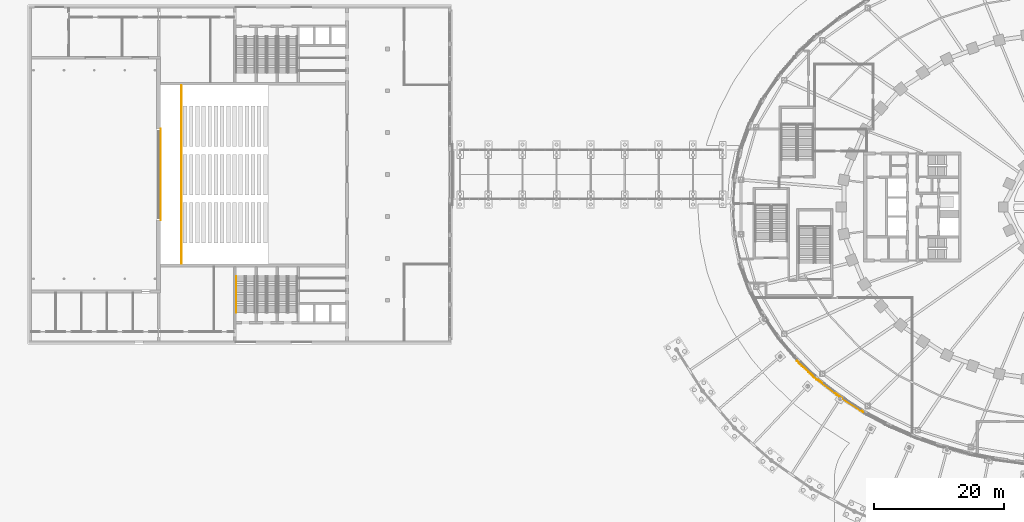
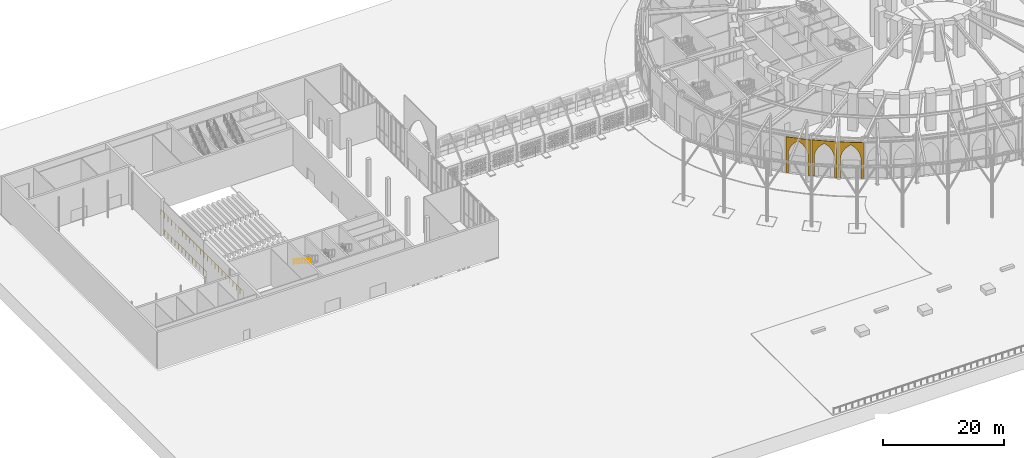
# One storey, part 53 of 79: 3 coverings, 3 railings.
"""IFC4 building model written with IfcOpenShell, lengths in metres."""

import ifcopenshell
import ifcopenshell.guid

model = None  # the IFC model being written
_history = None  # IfcOwnerHistory: only IFC2X3 demands one
_inside = {}  # id of a spatial element -> (the spatial element, [elements in it])
_under = {}  # id of a project, library or spatial element -> (it, [spatial elements below it])
_declared = {}  # id of a project -> (the project, [libraries it declares])
_typed = {}  # id of a type object -> (the type object, [elements of that type])
_made_of = {}  # id of a material, layer set ... -> (it, [elements and type objects made of it])


def new_model(schema):
    """Start an empty IFC model of exactly this schema.

    Asked for "IFC4X3", IfcOpenShell would pick the latest addendum, in which some entities
    have other attributes; the version numbers below select the first issue.
    IFC2X3 requires an IfcOwnerHistory on every rooted entity: one is made here for all.
    """
    global model, _history
    if schema == "IFC4X3":
        model = ifcopenshell.file(schema_version=(4, 3, 0, 0))
    else:
        model = ifcopenshell.file(schema=schema)
    _inside.clear()
    _under.clear()
    _declared.clear()
    _typed.clear()
    _made_of.clear()
    _history = None
    if model.schema == "IFC2X3":
        org = make("IfcOrganization", Name="unknown")
        user = make(
            "IfcPersonAndOrganization",
            ThePerson=make("IfcPerson", FamilyName="unknown"),
            TheOrganization=org,
        )
        app = make(
            "IfcApplication",
            ApplicationDeveloper=org,
            Version="unknown",
            ApplicationFullName="unknown",
            ApplicationIdentifier="unknown",
        )
        _history = make(
            "IfcOwnerHistory",
            OwningUser=user,
            OwningApplication=app,
            ChangeAction="ADDED",
            CreationDate=0,
        )
    return model


def make(cls, **values):
    """One entity of the class cls with the attributes given. An attribute that is None is left unset."""
    return model.create_entity(
        cls, **{name: value for name, value in values.items() if value is not None}
    )


def rooted(cls, **values):
    """An entity with a GlobalId (a new one), such as an element, a storey or a relation."""
    return make(cls, GlobalId=ifcopenshell.guid.new(), OwnerHistory=_history, **values)


def si_unit(unit_type, name, prefix=None):
    """IfcSIUnit, for example si_unit("LENGTHUNIT", "METRE", prefix="MILLI")."""
    return make("IfcSIUnit", UnitType=unit_type, Prefix=prefix, Name=name)


def assignment(units):
    """IfcUnitAssignment: the units of a project."""
    return None if units is None else make("IfcUnitAssignment", Units=units)


def point(xyz):
    """IfcCartesianPoint."""
    return None if xyz is None else make("IfcCartesianPoint", Coordinates=xyz)


def direction(xyz):
    """IfcDirection."""
    return None if xyz is None else make("IfcDirection", DirectionRatios=xyz)


def frame(location, z_axis=None, x_axis=None):
    """IfcAxis2Placement3D, a coordinate frame: its origin and axes. An axis left out is left unset."""
    return make(
        "IfcAxis2Placement3D",
        Location=point(location),
        Axis=direction(z_axis),
        RefDirection=direction(x_axis),
    )


def frame_2d(location, x_axis=None):
    """IfcAxis2Placement2D, a coordinate frame in the plane: its origin and x axis."""
    return make(
        "IfcAxis2Placement2D", Location=point(location), RefDirection=direction(x_axis)
    )


def origin():
    """The frame at (0, 0, 0) with its axes left unset."""
    return frame((0.0, 0.0, 0.0))


def origin_2d():
    """The frame at (0, 0) in the plane with its x axis left unset."""
    return frame_2d((0.0, 0.0))


def place(relative_to, where):
    """IfcLocalPlacement: puts the frame where relative to a parent placement (None: the world)."""
    return make(
        "IfcLocalPlacement", PlacementRelTo=relative_to, RelativePlacement=where
    )


def context(
    kind, dimensions, precision=None, world=None, true_north=None, identifier=None
):
    """IfcGeometricRepresentationContext, for example the 3D "Model" context."""
    return make(
        "IfcGeometricRepresentationContext",
        ContextIdentifier=identifier,
        ContextType=kind,
        CoordinateSpaceDimension=dimensions,
        Precision=precision,
        WorldCoordinateSystem=world,
        TrueNorth=true_north,
    )


def subcontext(parent, identifier, kind, view, scale=None):
    """IfcGeometricRepresentationSubContext, for example "Body" below "Model"."""
    return make(
        "IfcGeometricRepresentationSubContext",
        ContextIdentifier=identifier,
        ContextType=kind,
        ParentContext=parent,
        TargetScale=scale,
        TargetView=view,
    )


def project(units=None, contexts=None):
    """IfcProject with its units and contexts."""
    return rooted(
        "IfcProject",
        Name="project",
        RepresentationContexts=contexts,
        UnitsInContext=assignment(units),
    )


def spatial(cls, under=None, at=None, **own):
    """A site, building, storey or space (cls), placed at a placement, below another one or the project."""
    s = rooted(cls, ObjectPlacement=at, **own)
    if under is not None:
        _under.setdefault(under.id(), (under, []))[1].append(s)
    return s


def polyline(points):
    """IfcPolyline through the points."""
    return make("IfcPolyline", Points=[point(p) for p in points])


def profile(cls, at=None, kind="AREA", **sizes):
    """A parametric profile (cls). Its sizes go by their IFC names, for example OverallWidth=200.0."""
    return make(cls, ProfileType=kind, Position=at, **sizes)


def rectangle(**sizes):
    """IfcRectangleProfileDef."""
    return profile("IfcRectangleProfileDef", **sizes)


def outline(outer, holes=None, kind="AREA"):
    """IfcArbitraryClosedProfileDef: a profile drawn as a closed curve; with holes, ...WithVoids."""
    if holes is None:
        return make("IfcArbitraryClosedProfileDef", ProfileType=kind, OuterCurve=outer)
    return make(
        "IfcArbitraryProfileDefWithVoids",
        ProfileType=kind,
        OuterCurve=outer,
        InnerCurves=holes,
    )


def extrude(swept, where, along, depth):
    """IfcExtrudedAreaSolid: the profile swept, set in the frame where, extruded along a direction by depth."""
    return make(
        "IfcExtrudedAreaSolid",
        SweptArea=swept,
        Position=where,
        ExtrudedDirection=direction(along),
        Depth=depth,
    )


def shape(context_of_items, identifier, shape_type, items):
    """IfcShapeRepresentation: the items that make up one representation, for example the "Body"."""
    return make(
        "IfcShapeRepresentation",
        ContextOfItems=context_of_items,
        RepresentationIdentifier=identifier,
        RepresentationType=shape_type,
        Items=items,
    )


def material(Name=None, Category=None):
    """IfcMaterial."""
    return make("IfcMaterial", Name=Name, Category=Category)


def layer(
    of_material, thickness, ventilated=None, Name=None, Category=None, Priority=None
):
    """IfcMaterialLayer: one layer of a wall or slab, of a material (None: an air gap)."""
    return make(
        "IfcMaterialLayer",
        Material=of_material,
        LayerThickness=thickness,
        IsVentilated=ventilated,
        Name=Name,
        Category=Category,
        Priority=Priority,
    )


def layer_set(layers, Name=None):
    """IfcMaterialLayerSet."""
    return make("IfcMaterialLayerSet", MaterialLayers=layers, LayerSetName=Name)


def made_of(thing, what):
    """Note that an element or type object is made of a material, layer set ...; save() writes the relation."""
    if what is not None:
        _made_of.setdefault(what.id(), (what, []))[1].append(thing)
    return thing


def type_object(cls, material=None, **own):
    """A type object (cls), such as IfcWallType, which elements share."""
    return made_of(rooted(cls, **own), material)


def element(
    cls,
    number,
    at=None,
    inside=None,
    cuts=None,
    type_object=None,
    material=None,
    context=None,
    identifier="Body",
    shape_type=None,
    held_by="IfcProductDefinitionShape",
    body=None,
    shapes=None,
    **own,
):
    """One element of the class cls, such as IfcWall. Its Tag is "e" and its number.

    at: its placement. inside: the storey or other place that contains it. cuts: it is an
    opening in that element (IfcRelVoidsElement). A single representation is given by context,
    identifier, shape_type and body (its items); several are given by shapes. held_by: the class
    of the entity that holds the representations. save() writes the other relations.
    """
    e = rooted(cls, Tag="e%d" % number, ObjectPlacement=at, **own)
    if body is not None:
        shapes = [shape(context, identifier, shape_type, body)]
    if shapes is not None:
        e.Representation = make(held_by, Representations=shapes)
    if inside is not None:
        _inside.setdefault(inside.id(), (inside, []))[1].append(e)
    if cuts is not None:
        rooted(
            "IfcRelVoidsElement", RelatingBuildingElement=cuts, RelatedOpeningElement=e
        )
    if type_object is not None:
        _typed.setdefault(type_object.id(), (type_object, []))[1].append(e)
    return made_of(e, material)


def aggregate(whole, parts):
    """IfcRelAggregates: a whole, such as a stair, and the parts it consists of."""
    return rooted("IfcRelAggregates", RelatingObject=whole, RelatedObjects=parts)


def save(model, path):
    """Write the relations noted so far, then the file.

    IfcRelAggregates (storeys below a building ...), IfcRelContainedInSpatialStructure (elements
    in a storey), IfcRelDefinesByType, IfcRelAssociatesMaterial and IfcRelDeclares: one each for
    every whole, place, type object, material and project.
    """
    for whole, parts in _under.values():
        aggregate(whole, parts)
    for where, things in _inside.values():
        rooted(
            "IfcRelContainedInSpatialStructure",
            RelatedElements=things,
            RelatingStructure=where,
        )
    for kind, things in _typed.values():
        rooted("IfcRelDefinesByType", RelatedObjects=things, RelatingType=kind)
    for what, things in _made_of.values():
        rooted("IfcRelAssociatesMaterial", RelatedObjects=things, RelatingMaterial=what)
    for by, libraries in _declared.values():
        rooted("IfcRelDeclares", RelatingContext=by, RelatedDefinitions=libraries)
    model.write(path)


model = new_model("IFC4")

# Units and contexts
model_context = context("Model", 3, precision=1e-05, world=origin(), true_north=direction((0.0, 1.0)))
body_context = subcontext(model_context, "Body", "Model", "MODEL_VIEW")
ifc_project = project(units=[si_unit("LENGTHUNIT", "METRE"), si_unit("AREAUNIT", "SQUARE_METRE"), si_unit("VOLUMEUNIT", "CUBIC_METRE"), si_unit("PLANEANGLEUNIT", "RADIAN"), si_unit("MASSUNIT", "GRAM", prefix="KILO")], contexts=[model_context])

# Site, building, storey
site_placement = place(None, origin())
site = spatial("IfcSite", under=ifc_project, at=site_placement, CompositionType="ELEMENT")
building_placement = place(site_placement, origin())
building = spatial("IfcBuilding", under=site, at=building_placement, Name="Noorbagh Ring Tower", CompositionType="ELEMENT")
storey_placement = place(building_placement, origin())
storey = spatial("IfcBuildingStorey", under=building, at=storey_placement, Name="L00", CompositionType="ELEMENT", Elevation=0.0)

# Coverings
ifc_material_1 = material(Name="Red sandstone cladding", Category="masonry")
ifc_layer = layer(ifc_material_1, 0.10009765625)
ifc_layer_set = layer_set([ifc_layer], Name="Red sandstone cladding")
covering_type = type_object("IfcCoveringType", Name="STY-SPANDREL", PredefinedType="USERDEFINED", material=ifc_layer_set)
covering_1_placement = place(storey_placement, frame((-41.7158203125, -23.65625, 0.0), z_axis=(0.687597658603, 0.726091908317, 2.368352e-05), x_axis=(0.72609190852, -0.687597658796, 9.3e-10)))
element("IfcCovering", 1, at=covering_1_placement, inside=storey, type_object=covering_type, Name="Arch spandrel", ObjectType="ARCH", PredefinedType="USERDEFINED", context=body_context, shape_type="SweptSolid", body=[
    extrude(outline(polyline([(0.0, 0.0), (0.4001396319828925, 1.6940658945086007e-21), (0.40013963551738235, -3.800048827059259), (0.4288049734703385, -4.238037110285517), (0.5144652454633, -4.668701170565641), (0.6555626267387916, -5.084472651613659), (0.849671745898171, -5.478027341299939), (1.093695749455036, -5.843017573201836), (1.383138431684529, -6.173095696355903), (1.712990577285787, -6.462646477253051), (2.0780751004362332, -6.706542959435859), (2.4431596231329746, -6.462646473005473), (2.7733569072501205, -6.173095691787288), (3.062799588865591, -5.8430175651265), (3.3066463232111354, -5.478027332459052), (3.5007648396485975, -5.084472639191965), (3.64185282214047, -4.668701159897308), (3.727513093332296, -4.238037095418997), (3.7561784304704915, -3.800048816390926), (3.7561784269360015, 1.0668333275998026e-08), (4.156318058918894, 1.0668333275998026e-08), (4.1563180656622425, -7.249999987298372), (6.7433480009831965e-09, -7.249999997966705), (0.0, 0.0)])), origin(), (0.0, 0.0, -1.0), 0.10009765625),
])
covering_2_placement = place(storey_placement, frame((-38.528076171875, -26.65966796875, 0.0), z_axis=(-0.61491372542, -0.788594388741, 1.8350413e-05), x_axis=(0.788594388874, -0.614913725523, 3.965e-09)))
element("IfcCovering", 2, at=covering_2_placement, inside=storey, type_object=covering_type, Name="Arch spandrel", ObjectType="ARCH", PredefinedType="USERDEFINED", context=body_context, shape_type="SweptSolid", body=[
    extrude(outline(polyline([(0.0, 0.0), (0.3999223808659082, -8.470329472543003e-22), (0.3999223959348488, 3.80004882748519), (0.428594122707687, 4.238525385338519), (0.5143514511818275, 4.669433588027219), (0.6557813654305276, 5.085693354257668), (0.8499077082051721, 5.479736321850075), (1.0941393781149604, 5.844970696632688), (1.3837445486701772, 6.175292957785119), (1.714076198394446, 6.465087878312224), (2.079717194105441, 6.7092285014523725), (2.445015534531936, 6.465087875454196), (2.7753471819578643, 6.175292952328884), (3.065144877820293, 5.844970685096647), (3.3091840169064652, 5.4797363072481495), (3.5035028844829585, 5.085693340227347), (3.644740267503365, 4.669433572593865), (3.730497592560007, 4.238525369177668), (3.759361843782294, 3.8000488049327488), (3.7593618287133532, -2.2552441414744773e-08), (4.159284209579262, -2.2552441414744773e-08), (4.159284238328845, 7.249999976226884), (2.8749583040236817e-08, 7.249999998779326), (0.0, 0.0)])), origin(), (0.0, 0.0, -1.0), 0.10009765625),
])
covering_3_placement = place(storey_placement, frame((-35.0673828125, -29.34619140625, 0.0), z_axis=(-0.54259399943, -0.839995090261, 1.0929639e-05), x_axis=(0.839995090311, -0.542593999463, -9.76e-10)))
element("IfcCovering", 3, at=covering_3_placement, inside=storey, type_object=covering_type, Name="Arch spandrel", ObjectType="ARCH", PredefinedType="USERDEFINED", context=body_context, shape_type="SweptSolid", body=[
    extrude(outline(polyline([(0.0, 0.0), (0.39995100336686396, 0.0), (0.3999509996579315, 3.800048827898029), (0.42873164617954246, 4.2387695309104965), (0.514530963517085, 4.670166014345949), (0.655998767019964, 5.086669922002824), (0.8504219412411218, 5.480957031857587), (1.0948224322562488, 5.846679688869216), (1.3845943168687487, 6.177246095407323), (1.715336748807181, 6.467285158414486), (2.0810210125273416, 6.711669923493887), (2.4465728074864024, 6.467285159593769), (2.7773152399910037, 6.17724609763558), (3.0674246714132796, 5.846679690919929), (3.311487616977818, 5.480957036268492), (3.506043261206792, 5.086669925179067), (3.647511065522705, 4.670166020385698), (3.7331779144642026, 4.238769537363971), (3.7619585618422158, 3.8000488341788463), (3.761958565551148, 6.28081741129932e-09), (4.161909568918013, 6.280817411302708e-09), (4.161909561841851, 7.250000005847786), (-7.076161754676697e-09, 7.249999999566969), (0.0, 0.0)])), origin(), (0.0, 0.0, -1.0), 0.10009765625),
])

# Railings
ifc_material_2 = material(Name="Stainless steel", Category="steel")
railing_type_1 = type_object("IfcRailingType", Name="TH-GUARD", PredefinedType="GUARDRAIL", material=ifc_material_2)
railing_1_placement = place(storey_placement, frame((-139.676025390625, -2.0, 0.0)))
element("IfcRailing", 4, at=railing_1_placement, inside=storey, type_object=railing_type_1, Name="Orchestra pit guard stage side", PredefinedType="GUARDRAIL", context=body_context, shape_type="SweptSolid", body=[
    extrude(rectangle(XDim=0.048095703125, YDim=0.048095703125, at=origin_2d()), frame((0.0, 0.0, 1.076171875), z_axis=(0.0, 1.0, 0.0), x_axis=(-1.0, 0.0, 0.0)), (0.0, 0.0, 1.0), 14.0),
    extrude(rectangle(XDim=0.0419921875, YDim=0.0419921875, at=origin_2d()), origin(), (0.0, 0.0, 1.0), 1.052001953125),
    extrude(rectangle(XDim=0.0419921875, YDim=0.0419921875, at=origin_2d()), frame((0.0, 1.166748046875, 0.0)), (0.0, 0.0, 1.0), 1.052001953125),
    extrude(rectangle(XDim=0.0419921875, YDim=0.0419921875, at=origin_2d()), frame((0.0, 2.333251953125, 0.0)), (0.0, 0.0, 1.0), 1.052001953125),
    extrude(rectangle(XDim=0.0419921875, YDim=0.0419921875, at=origin_2d()), frame((0.0, 3.5, 0.0)), (0.0, 0.0, 1.0), 1.052001953125),
    extrude(rectangle(XDim=0.0419921875, YDim=0.0419921875, at=origin_2d()), frame((0.0, 4.666748046875, 0.0)), (0.0, 0.0, 1.0), 1.052001953125),
    extrude(rectangle(XDim=0.0419921875, YDim=0.0419921875, at=origin_2d()), frame((0.0, 5.833251953125, 0.0)), (0.0, 0.0, 1.0), 1.052001953125),
    extrude(rectangle(XDim=0.0419921875, YDim=0.0419921875, at=origin_2d()), frame((0.0, 7.0, 0.0)), (0.0, 0.0, 1.0), 1.052001953125),
    extrude(rectangle(XDim=0.0419921875, YDim=0.0419921875, at=origin_2d()), frame((0.0, 8.166748046875, 0.0)), (0.0, 0.0, 1.0), 1.052001953125),
    extrude(rectangle(XDim=0.0419921875, YDim=0.0419921875, at=origin_2d()), frame((0.0, 9.333251953125, 0.0)), (0.0, 0.0, 1.0), 1.052001953125),
    extrude(rectangle(XDim=0.0419921875, YDim=0.0419921875, at=origin_2d()), frame((0.0, 10.5, 0.0)), (0.0, 0.0, 1.0), 1.052001953125),
    extrude(rectangle(XDim=0.0419921875, YDim=0.0419921875, at=origin_2d()), frame((0.0, 11.666748046875, 0.0)), (0.0, 0.0, 1.0), 1.052001953125),
    extrude(rectangle(XDim=0.0419921875, YDim=0.0419921875, at=origin_2d()), frame((0.0, 12.833251953125, 0.0)), (0.0, 0.0, 1.0), 1.052001953125),
    extrude(rectangle(XDim=0.0419921875, YDim=0.0419921875, at=origin_2d()), frame((0.0, 14.0, 0.0)), (0.0, 0.0, 1.0), 1.052001953125),
])
railing_2_placement = place(storey_placement, frame((-136.5, -8.699951171875, -1.050048828125)))
element("IfcRailing", 5, at=railing_2_placement, inside=storey, type_object=railing_type_1, Name="Orchestra pit guard house side", PredefinedType="GUARDRAIL", context=body_context, shape_type="SweptSolid", body=[
    extrude(rectangle(XDim=0.048095703125, YDim=0.048095703125, at=origin_2d()), frame((0.0, 0.0, 1.076171875), z_axis=(0.0, 1.0, 0.0), x_axis=(-1.0, 0.0, 0.0)), (0.0, 0.0, 1.0), 27.39990234375),
    extrude(rectangle(XDim=0.0419921875, YDim=0.0419921875, at=origin_2d()), origin(), (0.0, 0.0, 1.0), 1.052001953125),
    extrude(rectangle(XDim=0.0419921875, YDim=0.0419921875, at=origin_2d()), frame((0.0, 1.19140625, 0.0)), (0.0, 0.0, 1.0), 1.052001953125),
    extrude(rectangle(XDim=0.0419921875, YDim=0.0419921875, at=origin_2d()), frame((0.0, 2.382568359375, 0.0)), (0.0, 0.0, 1.0), 1.052001953125),
    extrude(rectangle(XDim=0.0419921875, YDim=0.0419921875, at=origin_2d()), frame((0.0, 3.573974609375, 0.0)), (0.0, 0.0, 1.0), 1.052001953125),
    extrude(rectangle(XDim=0.0419921875, YDim=0.0419921875, at=origin_2d()), frame((0.0, 4.76513671875, 0.0)), (0.0, 0.0, 1.0), 1.052001953125),
    extrude(rectangle(XDim=0.0419921875, YDim=0.0419921875, at=origin_2d()), frame((0.0, 5.95654296875, 0.0)), (0.0, 0.0, 1.0), 1.052001953125),
    extrude(rectangle(XDim=0.0419921875, YDim=0.0419921875, at=origin_2d()), frame((0.0, 7.147705078125, 0.0)), (0.0, 0.0, 1.0), 1.052001953125),
    extrude(rectangle(XDim=0.0419921875, YDim=0.0419921875, at=origin_2d()), frame((0.0, 8.339111328125, 0.0)), (0.0, 0.0, 1.0), 1.052001953125),
    extrude(rectangle(XDim=0.0419921875, YDim=0.0419921875, at=origin_2d()), frame((0.0, 9.530517578125, 0.0)), (0.0, 0.0, 1.0), 1.052001953125),
    extrude(rectangle(XDim=0.0419921875, YDim=0.0419921875, at=origin_2d()), frame((0.0, 10.7216796875, 0.0)), (0.0, 0.0, 1.0), 1.052001953125),
    extrude(rectangle(XDim=0.0419921875, YDim=0.0419921875, at=origin_2d()), frame((0.0, 11.9130859375, 0.0)), (0.0, 0.0, 1.0), 1.052001953125),
    extrude(rectangle(XDim=0.0419921875, YDim=0.0419921875, at=origin_2d()), frame((0.0, 13.104248046875, 0.0)), (0.0, 0.0, 1.0), 1.052001953125),
    extrude(rectangle(XDim=0.0419921875, YDim=0.0419921875, at=origin_2d()), frame((0.0, 14.295654296875, 0.0)), (0.0, 0.0, 1.0), 1.052001953125),
    extrude(rectangle(XDim=0.0419921875, YDim=0.0419921875, at=origin_2d()), frame((0.0, 15.48681640625, 0.0)), (0.0, 0.0, 1.0), 1.052001953125),
    extrude(rectangle(XDim=0.0419921875, YDim=0.0419921875, at=origin_2d()), frame((0.0, 16.67822265625, 0.0)), (0.0, 0.0, 1.0), 1.052001953125),
    extrude(rectangle(XDim=0.0419921875, YDim=0.0419921875, at=origin_2d()), frame((0.0, 17.869384765625, 0.0)), (0.0, 0.0, 1.0), 1.052001953125),
    extrude(rectangle(XDim=0.0419921875, YDim=0.0419921875, at=origin_2d()), frame((0.0, 19.060791015625, 0.0)), (0.0, 0.0, 1.0), 1.052001953125),
    extrude(rectangle(XDim=0.0419921875, YDim=0.0419921875, at=origin_2d()), frame((0.0, 20.252197265625, 0.0)), (0.0, 0.0, 1.0), 1.052001953125),
    extrude(rectangle(XDim=0.0419921875, YDim=0.0419921875, at=origin_2d()), frame((0.0, 21.443359375, 0.0)), (0.0, 0.0, 1.0), 1.052001953125),
    extrude(rectangle(XDim=0.0419921875, YDim=0.0419921875, at=origin_2d()), frame((0.0, 22.634765625, 0.0)), (0.0, 0.0, 1.0), 1.052001953125),
    extrude(rectangle(XDim=0.0419921875, YDim=0.0419921875, at=origin_2d()), frame((0.0, 23.825927734375, 0.0)), (0.0, 0.0, 1.0), 1.052001953125),
    extrude(rectangle(XDim=0.0419921875, YDim=0.0419921875, at=origin_2d()), frame((0.0, 25.017333984375, 0.0)), (0.0, 0.0, 1.0), 1.052001953125),
    extrude(rectangle(XDim=0.0419921875, YDim=0.0419921875, at=origin_2d()), frame((0.0, 26.20849609375, 0.0)), (0.0, 0.0, 1.0), 1.052001953125),
    extrude(rectangle(XDim=0.0419921875, YDim=0.0419921875, at=origin_2d()), frame((0.0, 27.39990234375, 0.0)), (0.0, 0.0, 1.0), 1.052001953125),
])
ifc_material_3 = material(Name="Stainless steel", Category="steel")
railing_type_2 = type_object("IfcRailingType", Name="TH-STAIR-HANDRAIL", PredefinedType="HANDRAIL", material=ifc_material_3)
railing_3_placement = place(storey_placement, frame((-128.050048828125, -10.64990234375, 3.928466796875)))
element("IfcRailing", 6, at=railing_3_placement, inside=storey, type_object=railing_type_2, Name="L00 TSS3 stair handrail 2", PredefinedType="HANDRAIL", context=body_context, shape_type="SweptSolid", body=[
    extrude(rectangle(XDim=0.048095703125, YDim=0.048095703125, at=origin_2d()), frame((0.0, 0.0, 0.8759765625), z_axis=(0.0, -0.843126799516, 0.537714794233), x_axis=(1.0, 0.0, 0.0)), (0.0, 0.0, 1.0), 6.64208984375),
    extrude(rectangle(XDim=0.0419921875, YDim=0.0419921875, at=origin_2d()), origin(), (0.0, 0.0, 1.0), 0.851806640625),
    extrude(rectangle(XDim=0.0419921875, YDim=0.0419921875, at=origin_2d()), frame((0.0, -0.933349609375, 0.59521484375)), (0.0, 0.0, 1.0), 0.851806640625),
    extrude(rectangle(XDim=0.0419921875, YDim=0.0419921875, at=origin_2d()), frame((0.0, -1.86669921875, 1.1904296875)), (0.0, 0.0, 1.0), 0.851806640625),
    extrude(rectangle(XDim=0.0419921875, YDim=0.0419921875, at=origin_2d()), frame((0.0, -2.800048828125, 1.78564453125)), (0.0, 0.0, 1.0), 0.851806640625),
    extrude(rectangle(XDim=0.0419921875, YDim=0.0419921875, at=origin_2d()), frame((0.0, -3.7333984375, 2.381103515625)), (0.0, 0.0, 1.0), 0.851806640625),
    extrude(rectangle(XDim=0.0419921875, YDim=0.0419921875, at=origin_2d()), frame((0.0, -4.666748046875, 2.976318359375)), (0.0, 0.0, 1.0), 0.851806640625),
    extrude(rectangle(XDim=0.0419921875, YDim=0.0419921875, at=origin_2d()), frame((0.0, -5.60009765625, 3.571533203125)), (0.0, 0.0, 1.0), 0.851806640625),
])

save(model, "model.ifc")
